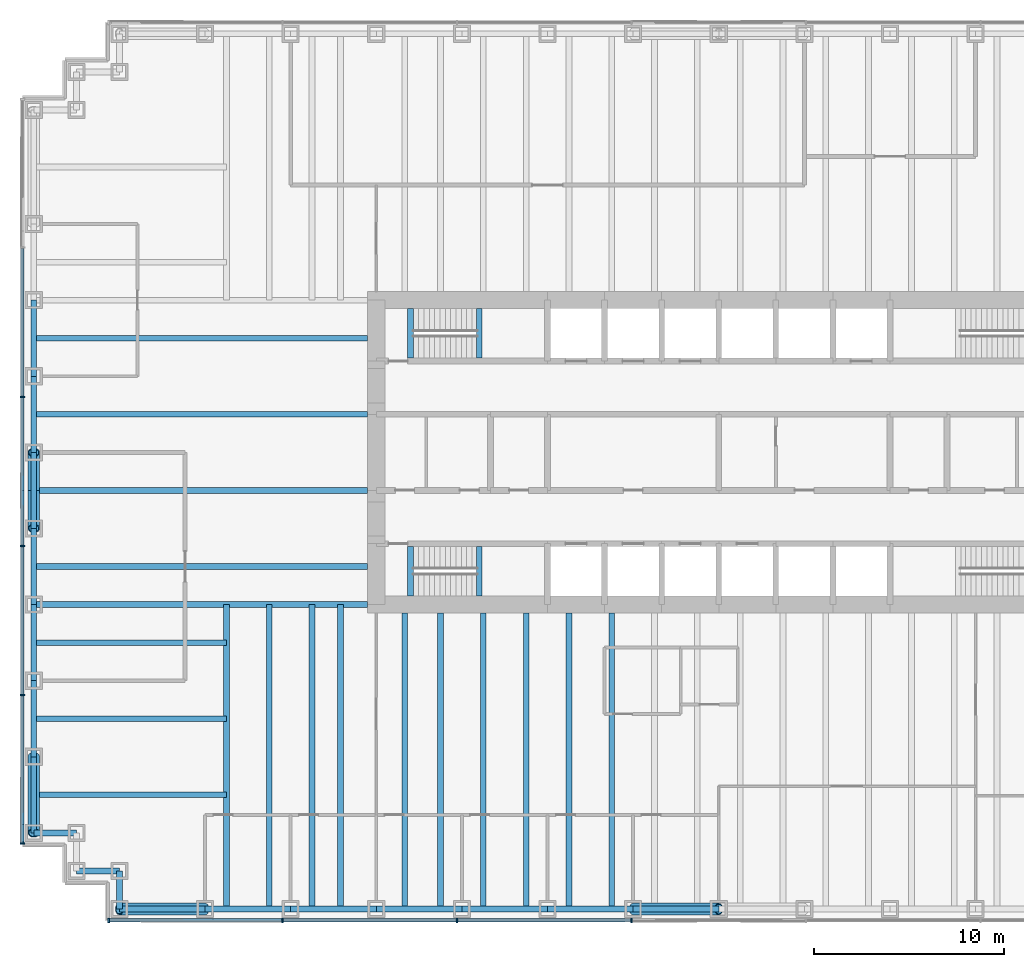
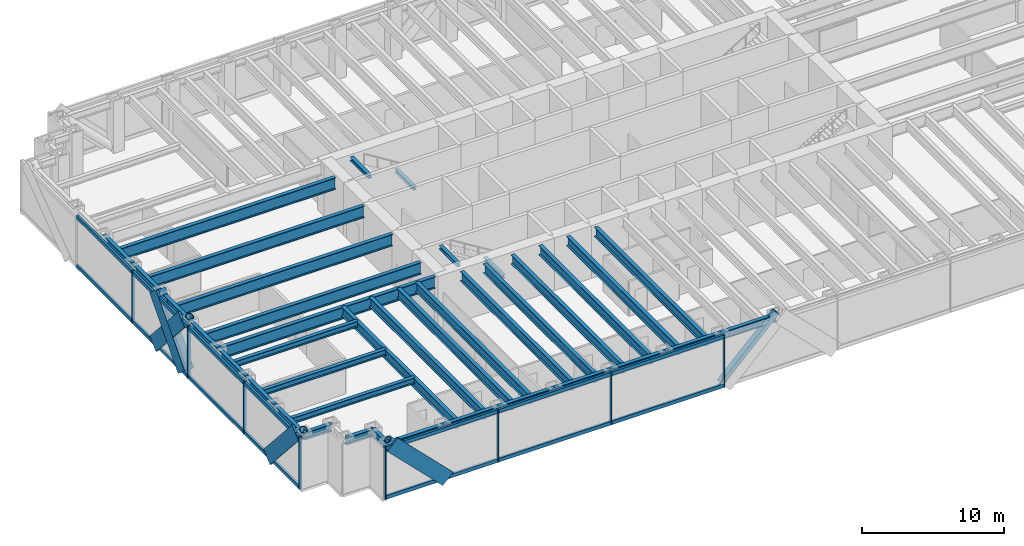
# One storey, part 2 of 13: 39 beams, 31 members, 2 elements without a shape of their own.
"""IFC4 building model written with IfcOpenShell, lengths in metres."""

from ifc_helpers import new_model, si_unit, direction, frame, origin, origin_2d, place, context, subcontext, project, spatial, rectangle, hollow_circle, i_section, extrude, material, material_profile, profile_set, type_object, element, aggregate, save


model = new_model("IFC4")

# Units and contexts
model_context = context("Model", 3, precision=1e-05, world=origin(), true_north=direction((0.0, 1.0)))
body_context = subcontext(model_context, "Body", "Model", "MODEL_VIEW")
ifc_project = project(units=[si_unit("LENGTHUNIT", "METRE"), si_unit("AREAUNIT", "SQUARE_METRE"), si_unit("VOLUMEUNIT", "CUBIC_METRE"), si_unit("PLANEANGLEUNIT", "RADIAN"), si_unit("MASSUNIT", "GRAM", prefix="KILO")], contexts=[model_context])

# Site, building, storey
site_placement = place(None, origin())
site = spatial("IfcSite", under=ifc_project, at=site_placement, CompositionType="ELEMENT")
building_placement = place(site_placement, origin())
building = spatial("IfcBuilding", under=site, at=building_placement, Name="Rheinbord Bourse Tower", CompositionType="ELEMENT")
storey_placement = place(building_placement, frame((0.0, 0.0, 59.0)))
storey = spatial("IfcBuildingStorey", under=building, at=storey_placement, Name="L12", CompositionType="ELEMENT", Elevation=59.0)

# Curtain wall, member
ifc_material_1 = material(Name="Dark glass and black aluminium", Category="aluminium")
curtain_wall_type = type_object("IfcCurtainWallType", Name="CW1 DARK GLASS CURTAIN WALL", PredefinedType="USERDEFINED", material=ifc_material_1)
curtain_wall_1_placement = place(storey_placement, origin())
curtain_wall_1 = element("IfcCurtainWall", 1, at=curtain_wall_1_placement, inside=storey, type_object=curtain_wall_type, Name="Curtain wall CW1 S L12", ObjectType="UNITISED CURTAIN WALL", PredefinedType="USERDEFINED")
ifc_material_2 = material(Name="Black anodised aluminium", Category="aluminium")
ifc_material_profile_1 = material_profile(ifc_material_2, rectangle(XDim=0.179931640625, YDim=1.2099609375, at=origin_2d()), Name="CW1 DIAGONAL MULLION 1210x180")
ifc_profile_set_1 = profile_set([ifc_material_profile_1], Name="Black anodised aluminium")
member_type_1 = type_object("IfcMemberType", Name="CW1 BLACK DIAGONAL MULLION", PredefinedType="USERDEFINED", material=ifc_profile_set_1)
member_1_placement = place(storey_placement, frame((9.0, -0.60009765625, 0.0), z_axis=(-0.707106781187, 0.0, 0.707106781187), x_axis=(0.0, -1.0, 0.0)))
member_1 = element("IfcMember", 2, at=member_1_placement, type_object=member_type_1, Name="CW1 diagonal mullion b", ObjectType="DIAGONAL MULLION", PredefinedType="USERDEFINED", context=body_context, shape_type="SweptSolid", body=[
    extrude(rectangle(XDim=0.179931640625, YDim=1.2099609375, at=origin_2d()), origin(), (0.0, 0.0, 1.0), 6.364013671875),
])

# Curtain wall, members
curtain_wall_2_placement = place(storey_placement, origin())
curtain_wall_2 = element("IfcCurtainWall", 3, at=curtain_wall_2_placement, inside=storey, type_object=curtain_wall_type, Name="Curtain wall CW1 W L12", ObjectType="UNITISED CURTAIN WALL", PredefinedType="USERDEFINED")
member_2_placement = place(storey_placement, frame((-0.60009765625, 24.0, 0.0), z_axis=(0.0, -0.66436383883, 0.747409318684), x_axis=(1.0, 0.0, 0.0)))
member_2 = element("IfcMember", 4, at=member_2_placement, type_object=member_type_1, Name="CW1 diagonal mullion a", ObjectType="DIAGONAL MULLION", PredefinedType="USERDEFINED", context=body_context, shape_type="SweptSolid", body=[
    extrude(rectangle(XDim=0.179931640625, YDim=1.2099609375, at=origin_2d()), origin(), (0.0, 0.0, 1.0), 6.020751953125),
])
member_3_placement = place(storey_placement, frame((-0.60009765625, 20.0, 0.0), z_axis=(0.0, 0.66436383883, 0.747409318684), x_axis=(-1.0, 0.0, 0.0)))
member_3 = element("IfcMember", 5, at=member_3_placement, type_object=member_type_1, Name="CW1 diagonal mullion b", ObjectType="DIAGONAL MULLION", PredefinedType="USERDEFINED", context=body_context, shape_type="SweptSolid", body=[
    extrude(rectangle(XDim=0.179931640625, YDim=1.2099609375, at=origin_2d()), origin(), (0.0, 0.0, 1.0), 6.020751953125),
])
member_4_placement = place(storey_placement, frame((-0.60009765625, 8.0, 0.0), z_axis=(0.0, -0.66436383883, 0.747409318684), x_axis=(1.0, 0.0, 0.0)))
member_4 = element("IfcMember", 6, at=member_4_placement, type_object=member_type_1, Name="CW1 diagonal mullion c", ObjectType="DIAGONAL MULLION", PredefinedType="USERDEFINED", context=body_context, shape_type="SweptSolid", body=[
    extrude(rectangle(XDim=0.179931640625, YDim=1.2099609375, at=origin_2d()), origin(), (0.0, 0.0, 1.0), 6.020751953125),
])

# Member
ifc_material_3 = material(Name="Black anodised aluminium", Category="aluminium")
ifc_material_profile_2 = material_profile(ifc_material_3, rectangle(XDim=0.25, YDim=0.080078125, at=origin_2d()), Name="CW1 MULLION 80x250")
ifc_profile_set_2 = profile_set([ifc_material_profile_2], Name="Black anodised aluminium")
member_type_2 = type_object("IfcMemberType", Name="CW1 BLACK MULLION", PredefinedType="MULLION", material=ifc_profile_set_2)
member_5_placement = place(storey_placement, frame((3.93994140625, -0.60009765625, 0.0), z_axis=(0.0, 0.0, 1.0), x_axis=(0.0, 1.0, 0.0)))
member_5 = element("IfcMember", 7, at=member_5_placement, type_object=member_type_2, Name="CW1 mullion 1", PredefinedType="MULLION", context=body_context, shape_type="SweptSolid", body=[
    extrude(rectangle(XDim=0.25, YDim=0.080078125, at=origin_2d()), origin(), (0.0, 0.0, 1.0), 4.5),
])

member_6_placement = place(storey_placement, frame((13.071533203125, -0.60009765625, 0.0), z_axis=(0.0, 0.0, 1.0), x_axis=(0.0, 1.0, 0.0)))
member_6 = element("IfcMember", 8, at=member_6_placement, type_object=member_type_2, Name="CW1 mullion 2", PredefinedType="MULLION", context=body_context, shape_type="SweptSolid", body=[
    extrude(rectangle(XDim=0.25, YDim=0.080078125, at=origin_2d()), origin(), (0.0, 0.0, 1.0), 4.5),
])

member_7_placement = place(storey_placement, frame((22.242919921875, -0.60009765625, 0.0), z_axis=(0.0, 0.0, 1.0), x_axis=(0.0, 1.0, 0.0)))
member_7 = element("IfcMember", 9, at=member_7_placement, type_object=member_type_2, Name="CW1 mullion 3", PredefinedType="MULLION", context=body_context, shape_type="SweptSolid", body=[
    extrude(rectangle(XDim=0.25, YDim=0.080078125, at=origin_2d()), origin(), (0.0, 0.0, 1.0), 4.5),
])

member_8_placement = place(storey_placement, frame((31.414306640625, -0.60009765625, 0.0), z_axis=(0.0, 0.0, 1.0), x_axis=(0.0, 1.0, 0.0)))
member_8 = element("IfcMember", 10, at=member_8_placement, type_object=member_type_2, Name="CW1 mullion 4", PredefinedType="MULLION", context=body_context, shape_type="SweptSolid", body=[
    extrude(rectangle(XDim=0.25, YDim=0.080078125, at=origin_2d()), origin(), (0.0, 0.0, 1.0), 4.5),
])

member_9_placement = place(storey_placement, frame((-0.60009765625, 26.919921875, 0.0), z_axis=(0.0, 0.0, 1.0), x_axis=(1.0, 0.0, 0.0)))
member_9 = element("IfcMember", 11, at=member_9_placement, type_object=member_type_2, Name="CW1 mullion 3", PredefinedType="MULLION", context=body_context, shape_type="SweptSolid", body=[
    extrude(rectangle(XDim=0.25, YDim=0.080078125, at=origin_2d()), origin(), (0.0, 0.0, 1.0), 4.5),
])

member_10_placement = place(storey_placement, frame((-0.60009765625, 19.080078125, 0.0), z_axis=(0.0, 0.0, 1.0), x_axis=(1.0, 0.0, 0.0)))
member_10 = element("IfcMember", 12, at=member_10_placement, type_object=member_type_2, Name="CW1 mullion 4", PredefinedType="MULLION", context=body_context, shape_type="SweptSolid", body=[
    extrude(rectangle(XDim=0.25, YDim=0.080078125, at=origin_2d()), origin(), (0.0, 0.0, 1.0), 4.5),
])

member_11_placement = place(storey_placement, frame((-0.60009765625, 11.239990234375, 0.0), z_axis=(0.0, 0.0, 1.0), x_axis=(1.0, 0.0, 0.0)))
member_11 = element("IfcMember", 13, at=member_11_placement, type_object=member_type_2, Name="CW1 mullion 5", PredefinedType="MULLION", context=body_context, shape_type="SweptSolid", body=[
    extrude(rectangle(XDim=0.25, YDim=0.080078125, at=origin_2d()), origin(), (0.0, 0.0, 1.0), 4.5),
])

member_12_placement = place(storey_placement, frame((-0.60009765625, 3.43994140625, 0.0), z_axis=(0.0, 0.0, 1.0), x_axis=(1.0, 0.0, 0.0)))
member_12 = element("IfcMember", 14, at=member_12_placement, type_object=member_type_2, Name="CW1 mullion 6", PredefinedType="MULLION", context=body_context, shape_type="SweptSolid", body=[
    extrude(rectangle(XDim=0.25, YDim=0.080078125, at=origin_2d()), origin(), (0.0, 0.0, 1.0), 4.5),
])

ifc_material_4 = material(Name="Black anodised aluminium", Category="aluminium")
ifc_material_profile_3 = material_profile(ifc_material_4, rectangle(XDim=0.179931640625, YDim=0.300048828125, at=origin_2d()), Name="CW1 TRANSOM 300x180")
ifc_profile_set_3 = profile_set([ifc_material_profile_3], Name="Black anodised aluminium")
member_type_3 = type_object("IfcMemberType", Name="CW1 BLACK TRANSOM", PredefinedType="USERDEFINED", material=ifc_profile_set_3)
member_13_placement = place(storey_placement, frame((3.97998046875, -0.60009765625, 0.14990234375), z_axis=(1.0, 0.0, 0.0), x_axis=(0.0, 1.0, 0.0)))
member_13 = element("IfcMember", 15, at=member_13_placement, type_object=member_type_3, Name="CW1 transom 1.1", ObjectType="TRANSOM", PredefinedType="USERDEFINED", context=body_context, shape_type="SweptSolid", body=[
    extrude(rectangle(XDim=0.179931640625, YDim=0.300048828125, at=origin_2d()), origin(), (0.0, 0.0, 1.0), 9.051513671875),
])

member_14_placement = place(storey_placement, frame((3.97998046875, -0.60009765625, 4.35009765625), z_axis=(1.0, 0.0, 0.0), x_axis=(0.0, 1.0, 0.0)))
member_14 = element("IfcMember", 16, at=member_14_placement, type_object=member_type_3, Name="CW1 transom 1.2", ObjectType="TRANSOM", PredefinedType="USERDEFINED", context=body_context, shape_type="SweptSolid", body=[
    extrude(rectangle(XDim=0.179931640625, YDim=0.300048828125, at=origin_2d()), origin(), (0.0, 0.0, 1.0), 9.051513671875),
])

member_15_placement = place(storey_placement, frame((13.111328125, -0.60009765625, 0.14990234375), z_axis=(1.0, 0.0, 0.0), x_axis=(0.0, 1.0, 0.0)))
member_15 = element("IfcMember", 17, at=member_15_placement, type_object=member_type_3, Name="CW1 transom 2.1", ObjectType="TRANSOM", PredefinedType="USERDEFINED", context=body_context, shape_type="SweptSolid", body=[
    extrude(rectangle(XDim=0.179931640625, YDim=0.300048828125, at=origin_2d()), origin(), (0.0, 0.0, 1.0), 9.091552734375),
])

member_16_placement = place(storey_placement, frame((13.111328125, -0.60009765625, 4.35009765625), z_axis=(1.0, 0.0, 0.0), x_axis=(0.0, 1.0, 0.0)))
member_16 = element("IfcMember", 18, at=member_16_placement, type_object=member_type_3, Name="CW1 transom 2.2", ObjectType="TRANSOM", PredefinedType="USERDEFINED", context=body_context, shape_type="SweptSolid", body=[
    extrude(rectangle(XDim=0.179931640625, YDim=0.300048828125, at=origin_2d()), origin(), (0.0, 0.0, 1.0), 9.091552734375),
])

member_17_placement = place(storey_placement, frame((22.282958984375, -0.60009765625, 0.14990234375), z_axis=(1.0, 0.0, 0.0), x_axis=(0.0, 1.0, 0.0)))
member_17 = element("IfcMember", 19, at=member_17_placement, type_object=member_type_3, Name="CW1 transom 3.1", ObjectType="TRANSOM", PredefinedType="USERDEFINED", context=body_context, shape_type="SweptSolid", body=[
    extrude(rectangle(XDim=0.179931640625, YDim=0.300048828125, at=origin_2d()), origin(), (0.0, 0.0, 1.0), 9.09130859375),
])

member_18_placement = place(storey_placement, frame((22.282958984375, -0.60009765625, 4.35009765625), z_axis=(1.0, 0.0, 0.0), x_axis=(0.0, 1.0, 0.0)))
member_18 = element("IfcMember", 20, at=member_18_placement, type_object=member_type_3, Name="CW1 transom 3.2", ObjectType="TRANSOM", PredefinedType="USERDEFINED", context=body_context, shape_type="SweptSolid", body=[
    extrude(rectangle(XDim=0.179931640625, YDim=0.300048828125, at=origin_2d()), origin(), (0.0, 0.0, 1.0), 9.09130859375),
])

aggregate(curtain_wall_1, [member_5, member_6, member_7, member_8, member_13, member_14, member_15, member_16, member_17, member_18, member_1])

member_19_placement = place(storey_placement, frame((-0.60009765625, 34.719970703125, 0.14990234375), z_axis=(0.0, -1.0, 0.0), x_axis=(1.0, 0.0, 0.0)))
member_19 = element("IfcMember", 21, at=member_19_placement, type_object=member_type_3, Name="CW1 transom 2.1", ObjectType="TRANSOM", PredefinedType="USERDEFINED", context=body_context, shape_type="SweptSolid", body=[
    extrude(rectangle(XDim=0.179931640625, YDim=0.300048828125, at=origin_2d()), origin(), (0.0, 0.0, 1.0), 7.760009765625),
])

member_20_placement = place(storey_placement, frame((-0.60009765625, 34.719970703125, 4.35009765625), z_axis=(0.0, -1.0, 0.0), x_axis=(1.0, 0.0, 0.0)))
member_20 = element("IfcMember", 22, at=member_20_placement, type_object=member_type_3, Name="CW1 transom 2.2", ObjectType="TRANSOM", PredefinedType="USERDEFINED", context=body_context, shape_type="SweptSolid", body=[
    extrude(rectangle(XDim=0.179931640625, YDim=0.300048828125, at=origin_2d()), origin(), (0.0, 0.0, 1.0), 7.760009765625),
])

member_21_placement = place(storey_placement, frame((-0.60009765625, 26.8798828125, 0.14990234375), z_axis=(0.0, -1.0, 0.0), x_axis=(1.0, 0.0, 0.0)))
member_21 = element("IfcMember", 23, at=member_21_placement, type_object=member_type_3, Name="CW1 transom 3.1", ObjectType="TRANSOM", PredefinedType="USERDEFINED", context=body_context, shape_type="SweptSolid", body=[
    extrude(rectangle(XDim=0.179931640625, YDim=0.300048828125, at=origin_2d()), origin(), (0.0, 0.0, 1.0), 7.759765625),
])

member_22_placement = place(storey_placement, frame((-0.60009765625, 26.8798828125, 4.35009765625), z_axis=(0.0, -1.0, 0.0), x_axis=(1.0, 0.0, 0.0)))
member_22 = element("IfcMember", 24, at=member_22_placement, type_object=member_type_3, Name="CW1 transom 3.2", ObjectType="TRANSOM", PredefinedType="USERDEFINED", context=body_context, shape_type="SweptSolid", body=[
    extrude(rectangle(XDim=0.179931640625, YDim=0.300048828125, at=origin_2d()), origin(), (0.0, 0.0, 1.0), 7.759765625),
])

member_23_placement = place(storey_placement, frame((-0.60009765625, 19.0400390625, 0.14990234375), z_axis=(0.0, -1.0, 0.0), x_axis=(1.0, 0.0, 0.0)))
member_23 = element("IfcMember", 25, at=member_23_placement, type_object=member_type_3, Name="CW1 transom 4.1", ObjectType="TRANSOM", PredefinedType="USERDEFINED", context=body_context, shape_type="SweptSolid", body=[
    extrude(rectangle(XDim=0.179931640625, YDim=0.300048828125, at=origin_2d()), origin(), (0.0, 0.0, 1.0), 7.760009765625),
])

member_24_placement = place(storey_placement, frame((-0.60009765625, 19.0400390625, 4.35009765625), z_axis=(0.0, -1.0, 0.0), x_axis=(1.0, 0.0, 0.0)))
member_24 = element("IfcMember", 26, at=member_24_placement, type_object=member_type_3, Name="CW1 transom 4.2", ObjectType="TRANSOM", PredefinedType="USERDEFINED", context=body_context, shape_type="SweptSolid", body=[
    extrude(rectangle(XDim=0.179931640625, YDim=0.300048828125, at=origin_2d()), origin(), (0.0, 0.0, 1.0), 7.760009765625),
])

member_25_placement = place(storey_placement, frame((-0.60009765625, 11.199951171875, 0.14990234375), z_axis=(0.0, -1.0, 0.0), x_axis=(1.0, 0.0, 0.0)))
member_25 = element("IfcMember", 27, at=member_25_placement, type_object=member_type_3, Name="CW1 transom 5.1", ObjectType="TRANSOM", PredefinedType="USERDEFINED", context=body_context, shape_type="SweptSolid", body=[
    extrude(rectangle(XDim=0.179931640625, YDim=0.300048828125, at=origin_2d()), origin(), (0.0, 0.0, 1.0), 7.719970703125),
])

member_26_placement = place(storey_placement, frame((-0.60009765625, 11.199951171875, 4.35009765625), z_axis=(0.0, -1.0, 0.0), x_axis=(1.0, 0.0, 0.0)))
member_26 = element("IfcMember", 28, at=member_26_placement, type_object=member_type_3, Name="CW1 transom 5.2", ObjectType="TRANSOM", PredefinedType="USERDEFINED", context=body_context, shape_type="SweptSolid", body=[
    extrude(rectangle(XDim=0.179931640625, YDim=0.300048828125, at=origin_2d()), origin(), (0.0, 0.0, 1.0), 7.719970703125),
])

aggregate(curtain_wall_2, [member_9, member_10, member_11, member_12, member_19, member_20, member_21, member_22, member_23, member_24, member_25, member_26, member_2, member_3, member_4])

# Beams
ifc_material_5 = material(Name="Steel S460", Category="steel")
ifc_material_profile_4 = material_profile(ifc_material_5, i_section(OverallWidth=0.302001953125, OverallDepth=1.008056640625, WebThickness=0.02099609375, FlangeThickness=0.0400390625, at=origin_2d()), Name="HEM 1000")
ifc_profile_set_4 = profile_set([ifc_material_profile_4], Name="Steel S460")
beam_type_1 = type_object("IfcBeamType", Name="END BEAM HEM 1000", PredefinedType="BEAM", material=ifc_profile_set_4)
for number, where, z_axis, x_axis, name in (
    (29, (0.0, 18.0, 3.81591796875), (1.0, 0.0, 0.0), (0.0, 1.0, 0.0), "End beam west 18 L13"),
    (30, (0.0, 22.0, 3.81591796875), (1.0, 0.0, 0.0), (0.0, 1.0, 0.0), "End beam west 22 L13"),
    (31, (0.0, 26.0, 3.81591796875), (1.0, 0.0, 0.0), (0.0, 1.0, 0.0), "End beam west 26 L13"),
    (32, (0.0, 30.0, 3.81591796875), (1.0, 0.0, 0.0), (0.0, 1.0, 0.0), "End beam west 30 L13"),
):
    element("IfcBeam", number, at=place(storey_placement, frame(where, z_axis=z_axis, x_axis=x_axis)), inside=storey, type_object=beam_type_1, Name=name, PredefinedType="BEAM", context=body_context, shape_type="SweptSolid", body=[
        extrude(i_section(OverallWidth=0.302001953125, OverallDepth=1.008056640625, WebThickness=0.02099609375, FlangeThickness=0.0400390625, at=origin_2d()), origin(), (0.0, 0.0, 1.0), 17.550048828125),
    ])
ifc_material_6 = material(Name="Steel S460", Category="steel")
ifc_material_profile_5 = material_profile(ifc_material_6, i_section(OverallWidth=0.300048828125, OverallDepth=0.800048828125, WebThickness=0.017578125, FlangeThickness=0.032958984375, at=origin_2d()), Name="HEB 800")
ifc_profile_set_5 = profile_set([ifc_material_profile_5], Name="Steel S460")
beam_type_2 = type_object("IfcBeamType", Name="FLOOR BEAM HEB 800", PredefinedType="BEAM", material=ifc_profile_set_5)
for number, where, z_axis, x_axis, name in (
    (33, (10.125, 0.0, 3.919921875), (0.0, 1.0, 0.0), (-1.0, 0.0, 0.0), "Floor beam S-9a L13"),
    (34, (12.375, 0.0, 3.919921875), (0.0, 1.0, 0.0), (-1.0, 0.0, 0.0), "Floor beam S-9b L13"),
    (35, (14.625, 0.0, 3.919921875), (0.0, 1.0, 0.0), (-1.0, 0.0, 0.0), "Floor beam S-13.5a L13"),
    (36, (16.125, 0.0, 3.919921875), (0.0, 1.0, 0.0), (-1.0, 0.0, 0.0), "Floor beam S-13.5b L13"),
):
    element("IfcBeam", number, at=place(storey_placement, frame(where, z_axis=z_axis, x_axis=x_axis)), inside=storey, type_object=beam_type_2, Name=name, PredefinedType="BEAM", context=body_context, shape_type="SweptSolid", body=[
        extrude(i_section(OverallWidth=0.300048828125, OverallDepth=0.800048828125, WebThickness=0.017578125, FlangeThickness=0.032958984375, at=origin_2d()), origin(), (0.0, 0.0, 1.0), 16.0),
    ])
for number, where, z_axis, x_axis, name in (
    (37, (19.5, 0.0, 3.919921875), (0.0, 1.0, 0.0), (-1.0, 0.0, 0.0), "Floor beam S-18a L13"),
    (38, (21.375, 0.0, 3.919921875), (0.0, 1.0, 0.0), (-1.0, 0.0, 0.0), "Floor beam S-18b L13"),
    (39, (23.625, 0.0, 3.919921875), (0.0, 1.0, 0.0), (-1.0, 0.0, 0.0), "Floor beam S-22.5a L13"),
    (40, (25.875, 0.0, 3.919921875), (0.0, 1.0, 0.0), (-1.0, 0.0, 0.0), "Floor beam S-22.5b L13"),
    (41, (28.125, 0.0, 3.919921875), (0.0, 1.0, 0.0), (-1.0, 0.0, 0.0), "Floor beam S-27a L13"),
    (42, (30.375, 0.0, 3.919921875), (0.0, 1.0, 0.0), (-1.0, 0.0, 0.0), "Floor beam S-27b L13"),
):
    element("IfcBeam", number, at=place(storey_placement, frame(where, z_axis=z_axis, x_axis=x_axis)), inside=storey, type_object=beam_type_2, Name=name, PredefinedType="BEAM", context=body_context, shape_type="SweptSolid", body=[
        extrude(i_section(OverallWidth=0.300048828125, OverallDepth=0.800048828125, WebThickness=0.017578125, FlangeThickness=0.032958984375, at=origin_2d()), origin(), (0.0, 0.0, 1.0), 15.550048828125),
    ])
ifc_material_7 = material(Name="Steel S460", Category="steel")
ifc_material_profile_6 = material_profile(ifc_material_7, i_section(OverallWidth=0.302001953125, OverallDepth=1.008056640625, WebThickness=0.02099609375, FlangeThickness=0.0400390625, at=origin_2d()), Name="HEM 1000")
ifc_profile_set_6 = profile_set([ifc_material_profile_6], Name="Steel S460")
beam_type_3 = type_object("IfcBeamType", Name="GIRDER HEM 1000", PredefinedType="BEAM", material=ifc_profile_set_6)
beam_1_placement = place(storey_placement, frame((0.0, 16.0, 3.81591796875), z_axis=(1.0, 0.0, 0.0), x_axis=(0.0, 1.0, 0.0)))
element("IfcBeam", 43, at=beam_1_placement, inside=storey, type_object=beam_type_3, Name="Girder west 16 L13", PredefinedType="BEAM", context=body_context, shape_type="SweptSolid", body=[
    extrude(i_section(OverallWidth=0.302001953125, OverallDepth=1.008056640625, WebThickness=0.02099609375, FlangeThickness=0.0400390625, at=origin_2d()), origin(), (0.0, 0.0, 1.0), 17.550048828125),
])
ifc_material_8 = material(Name="Steel S460", Category="steel")
ifc_material_profile_7 = material_profile(ifc_material_8, i_section(OverallWidth=0.300048828125, OverallDepth=0.300048828125, WebThickness=0.010986328125, FlangeThickness=0.01904296875, at=origin_2d()), Name="HEB 300")
ifc_profile_set_7 = profile_set([ifc_material_profile_7], Name="Steel S460")
beam_type_4 = type_object("IfcBeamType", Name="LANDING TRIMMER HEB 300", PredefinedType="BEAM", material=ifc_profile_set_7)
for number, where, z_axis, x_axis, name in (
    (44, (23.409912109375, 16.449951171875, 1.89990234375), (0.0, 1.0, 0.0), (-1.0, 0.0, 0.0), "Landing trimmer ST1 L12"),
    (45, (19.800048828125, 16.449951171875, 4.169921875), (0.0, 1.0, 0.0), (-1.0, 0.0, 0.0), "Well trimmer ST1 under L13"),
    (46, (23.409912109375, 28.949951171875, 1.89990234375), (0.0, 1.0, 0.0), (-1.0, 0.0, 0.0), "Landing trimmer ST2 L12"),
    (47, (19.800048828125, 28.949951171875, 4.169921875), (0.0, 1.0, 0.0), (-1.0, 0.0, 0.0), "Well trimmer ST2 under L13"),
):
    element("IfcBeam", number, at=place(storey_placement, frame(where, z_axis=z_axis, x_axis=x_axis)), inside=storey, type_object=beam_type_4, Name=name, PredefinedType="BEAM", context=body_context, shape_type="SweptSolid", body=[
        extrude(i_section(OverallWidth=0.300048828125, OverallDepth=0.300048828125, WebThickness=0.010986328125, FlangeThickness=0.01904296875, at=origin_2d()), origin(), (0.0, 0.0, 1.0), 2.60009765625),
    ])

# Members
ifc_material_9 = material(Name="Steel S460", Category="steel")
ifc_material_profile_8 = material_profile(ifc_material_9, hollow_circle(Radius=0.304931640625, WallThickness=0.050048828125, at=origin_2d()), Name="CHS 610x50")
ifc_profile_set_8 = profile_set([ifc_material_profile_8], Name="Steel S460")
member_type_4 = type_object("IfcMemberType", Name="MEGABRACE CHS 610x50", PredefinedType="BRACE", material=ifc_profile_set_8)
for number, where, z_axis, x_axis, name in (
    (48, (9.0, 0.0, 0.0), (-0.707106781187, 0.0, 0.707106781187), (0.0, -1.0, 0.0), "Megabrace S face line b L12"),
    (49, (31.5, 0.0, 0.0), (0.707106781187, 0.0, 0.707106781187), (0.0, 1.0, 0.0), "Megabrace S face line d L12"),
):
    element("IfcMember", number, at=place(storey_placement, frame(where, z_axis=z_axis, x_axis=x_axis)), inside=storey, type_object=member_type_4, Name=name, PredefinedType="BRACE", context=body_context, shape_type="SweptSolid", body=[
        extrude(hollow_circle(Radius=0.304931640625, WallThickness=0.050048828125, at=origin_2d()), origin(), (0.0, 0.0, 1.0), 6.364013671875),
    ])
for number, where, z_axis, x_axis, name in (
    (50, (0.0, 24.0, 0.0), (0.0, -0.66436383883, 0.747409318684), (1.0, 0.0, 0.0), "Megabrace W face line a L12"),
    (51, (0.0, 20.0, 0.0), (0.0, 0.66436383883, 0.747409318684), (-1.0, 0.0, 0.0), "Megabrace W face line b L12"),
    (52, (0.0, 8.0, 0.0), (0.0, -0.66436383883, 0.747409318684), (1.0, 0.0, 0.0), "Megabrace W face line c L12"),
):
    element("IfcMember", number, at=place(storey_placement, frame(where, z_axis=z_axis, x_axis=x_axis)), inside=storey, type_object=member_type_4, Name=name, PredefinedType="BRACE", context=body_context, shape_type="SweptSolid", body=[
        extrude(hollow_circle(Radius=0.304931640625, WallThickness=0.050048828125, at=origin_2d()), origin(), (0.0, 0.0, 1.0), 6.020751953125),
    ])

# Beams
ifc_material_10 = material(Name="Steel S460", Category="steel")
ifc_material_profile_9 = material_profile(ifc_material_10, i_section(OverallWidth=0.304931640625, OverallDepth=0.6201171875, WebThickness=0.02099609375, FlangeThickness=0.0400390625, at=origin_2d()), Name="HEM 600")
ifc_profile_set_9 = profile_set([ifc_material_profile_9], Name="Steel S460")
beam_type_5 = type_object("IfcBeamType", Name="SPANDREL HEM 600", PredefinedType="SPANDREL", material=ifc_profile_set_9)
for number, where, z_axis, x_axis, name in (
    (53, (4.5, 0.0, 4.010009765625), (1.0, 0.0, 0.0), (0.0, 1.0, 0.0), "Spandrel SW-E-S-9 under L13"),
    (54, (9.0, 0.0, 4.010009765625), (1.0, 0.0, 0.0), (0.0, 1.0, 0.0), "Spandrel S-9-S-13.5 under L13"),
    (55, (13.5, 0.0, 4.010009765625), (1.0, 0.0, 0.0), (0.0, 1.0, 0.0), "Spandrel S-13.5-S-18 under L13"),
    (56, (18.0, 0.0, 4.010009765625), (1.0, 0.0, 0.0), (0.0, 1.0, 0.0), "Spandrel S-18-S-22.5 under L13"),
    (57, (22.5, 0.0, 4.010009765625), (1.0, 0.0, 0.0), (0.0, 1.0, 0.0), "Spandrel S-22.5-S-27 under L13"),
    (58, (27.0, 0.0, 4.010009765625), (1.0, 0.0, 0.0), (0.0, 1.0, 0.0), "Spandrel S-27-S-31.5 under L13"),
    (59, (31.5, 0.0, 4.010009765625), (1.0, 0.0, 0.0), (0.0, 1.0, 0.0), "Spandrel S-31.5-S-36 under L13"),
):
    element("IfcBeam", number, at=place(storey_placement, frame(where, z_axis=z_axis, x_axis=x_axis)), inside=storey, type_object=beam_type_5, Name=name, PredefinedType="SPANDREL", context=body_context, shape_type="SweptSolid", body=[
        extrude(i_section(OverallWidth=0.304931640625, OverallDepth=0.6201171875, WebThickness=0.02099609375, FlangeThickness=0.0400390625, at=origin_2d()), origin(), (0.0, 0.0, 1.0), 4.5),
    ])
for number, where, z_axis, x_axis, name in (
    (60, (0.0, 32.0, 4.010009765625), (0.0, -1.0, 0.0), (1.0, 0.0, 0.0), "Spandrel W-32-W-28 under L13"),
    (61, (0.0, 28.0, 4.010009765625), (0.0, -1.0, 0.0), (1.0, 0.0, 0.0), "Spandrel W-28-W-24 under L13"),
    (62, (0.0, 24.0, 4.010009765625), (0.0, -1.0, 0.0), (1.0, 0.0, 0.0), "Spandrel W-24-W-20 under L13"),
    (63, (0.0, 20.0, 4.010009765625), (0.0, -1.0, 0.0), (1.0, 0.0, 0.0), "Spandrel W-20-W-16 under L13"),
    (64, (0.0, 16.0, 4.010009765625), (0.0, -1.0, 0.0), (1.0, 0.0, 0.0), "Spandrel W-16-W-12 under L13"),
    (65, (0.0, 12.0, 4.010009765625), (0.0, -1.0, 0.0), (1.0, 0.0, 0.0), "Spandrel W-12-W-8 under L13"),
    (66, (0.0, 8.0, 4.010009765625), (0.0, -1.0, 0.0), (1.0, 0.0, 0.0), "Spandrel W-8-SW-A under L13"),
):
    element("IfcBeam", number, at=place(storey_placement, frame(where, z_axis=z_axis, x_axis=x_axis)), inside=storey, type_object=beam_type_5, Name=name, PredefinedType="SPANDREL", context=body_context, shape_type="SweptSolid", body=[
        extrude(i_section(OverallWidth=0.304931640625, OverallDepth=0.6201171875, WebThickness=0.02099609375, FlangeThickness=0.0400390625, at=origin_2d()), origin(), (0.0, 0.0, 1.0), 4.0),
    ])
for number, where, z_axis, x_axis, name in (
    (67, (0.0, 4.0, 4.010009765625), (1.0, 0.0, 0.0), (0.0, 1.0, 0.0), "Spandrel SW-A-SW-B under L13"),
    (68, (2.25, 2.0, 4.010009765625), (1.0, 0.0, 0.0), (0.0, 1.0, 0.0), "Spandrel SW-C-SW-D under L13"),
):
    element("IfcBeam", number, at=place(storey_placement, frame(where, z_axis=z_axis, x_axis=x_axis)), inside=storey, type_object=beam_type_5, Name=name, PredefinedType="SPANDREL", context=body_context, shape_type="SweptSolid", body=[
        extrude(i_section(OverallWidth=0.304931640625, OverallDepth=0.6201171875, WebThickness=0.02099609375, FlangeThickness=0.0400390625, at=origin_2d()), origin(), (0.0, 0.0, 1.0), 2.25),
    ])
beam_2_placement = place(storey_placement, frame((4.5, 2.0, 4.010009765625), z_axis=(0.0, -1.0, 0.0), x_axis=(1.0, 0.0, 0.0)))
element("IfcBeam", 69, at=beam_2_placement, inside=storey, type_object=beam_type_5, Name="Spandrel SW-D-SW-E under L13", PredefinedType="SPANDREL", context=body_context, shape_type="SweptSolid", body=[
    extrude(i_section(OverallWidth=0.304931640625, OverallDepth=0.6201171875, WebThickness=0.02099609375, FlangeThickness=0.0400390625, at=origin_2d()), origin(), (0.0, 0.0, 1.0), 2.0),
])
ifc_material_11 = material(Name="Steel S460", Category="steel")
ifc_material_profile_10 = material_profile(ifc_material_11, i_section(OverallWidth=0.300048828125, OverallDepth=0.5, WebThickness=0.014404296875, FlangeThickness=0.028076171875, at=origin_2d()), Name="HEB 500")
ifc_profile_set_10 = profile_set([ifc_material_profile_10], Name="Steel S460")
beam_type_6 = type_object("IfcBeamType", Name="TIE BEAM HEB 500", PredefinedType="JOIST", material=ifc_profile_set_10)
for number, where, z_axis, x_axis, name in (
    (70, (0.0, 6.0, 4.070068359375), (1.0, 0.0, 0.0), (0.0, 1.0, 0.0), "Tie west 6 L13"),
    (71, (0.0, 10.0, 4.070068359375), (1.0, 0.0, 0.0), (0.0, 1.0, 0.0), "Tie west 10 L13"),
    (72, (0.0, 14.0, 4.070068359375), (1.0, 0.0, 0.0), (0.0, 1.0, 0.0), "Tie west 14 L13"),
):
    element("IfcBeam", number, at=place(storey_placement, frame(where, z_axis=z_axis, x_axis=x_axis)), inside=storey, type_object=beam_type_6, Name=name, PredefinedType="JOIST", context=body_context, shape_type="SweptSolid", body=[
        extrude(i_section(OverallWidth=0.300048828125, OverallDepth=0.5, WebThickness=0.014404296875, FlangeThickness=0.028076171875, at=origin_2d()), origin(), (0.0, 0.0, 1.0), 10.125),
    ])

save(model, "model.ifc")
